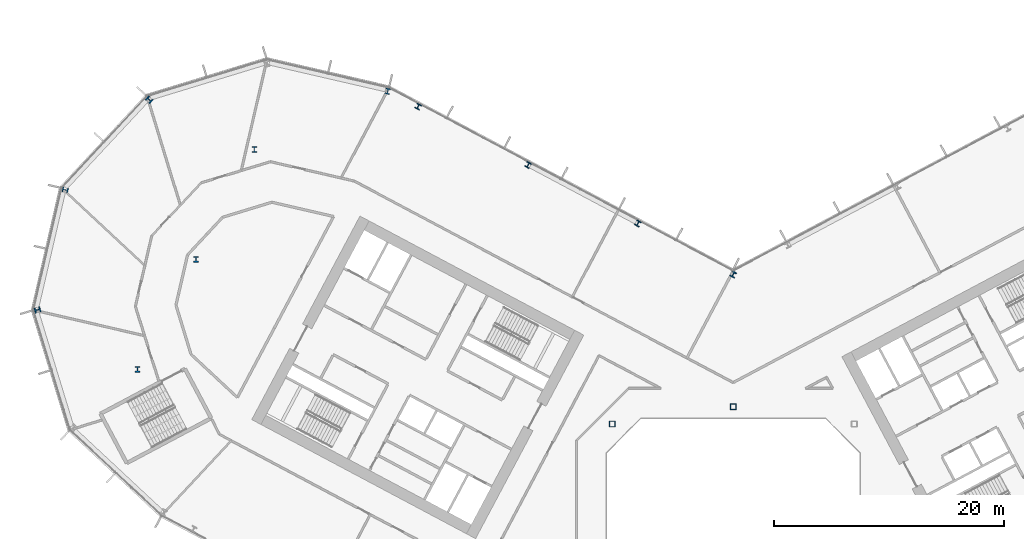
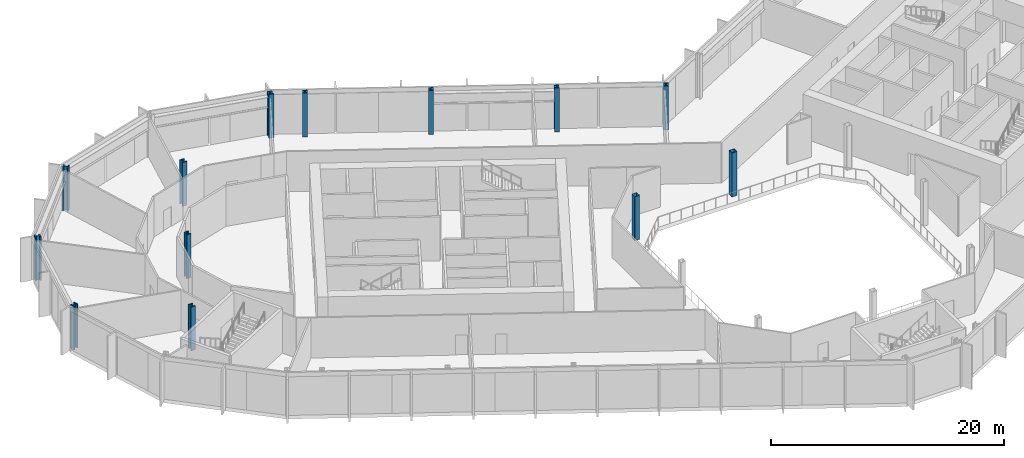
# One storey, part 2 of 30: 13 columns.
"""IFC4 building model written with IfcOpenShell, lengths in metres."""

import ifcopenshell
import ifcopenshell.guid

model = None  # the IFC model being written
_history = None  # IfcOwnerHistory: only IFC2X3 demands one
_inside = {}  # id of a spatial element -> (the spatial element, [elements in it])
_under = {}  # id of a project, library or spatial element -> (it, [spatial elements below it])
_declared = {}  # id of a project -> (the project, [libraries it declares])
_typed = {}  # id of a type object -> (the type object, [elements of that type])
_made_of = {}  # id of a material, layer set ... -> (it, [elements and type objects made of it])


def new_model(schema):
    """Start an empty IFC model of exactly this schema.

    Asked for "IFC4X3", IfcOpenShell would pick the latest addendum, in which some entities
    have other attributes; the version numbers below select the first issue.
    IFC2X3 requires an IfcOwnerHistory on every rooted entity: one is made here for all.
    """
    global model, _history
    if schema == "IFC4X3":
        model = ifcopenshell.file(schema_version=(4, 3, 0, 0))
    else:
        model = ifcopenshell.file(schema=schema)
    _inside.clear()
    _under.clear()
    _declared.clear()
    _typed.clear()
    _made_of.clear()
    _history = None
    if model.schema == "IFC2X3":
        org = make("IfcOrganization", Name="unknown")
        user = make(
            "IfcPersonAndOrganization",
            ThePerson=make("IfcPerson", FamilyName="unknown"),
            TheOrganization=org,
        )
        app = make(
            "IfcApplication",
            ApplicationDeveloper=org,
            Version="unknown",
            ApplicationFullName="unknown",
            ApplicationIdentifier="unknown",
        )
        _history = make(
            "IfcOwnerHistory",
            OwningUser=user,
            OwningApplication=app,
            ChangeAction="ADDED",
            CreationDate=0,
        )
    return model


def make(cls, **values):
    """One entity of the class cls with the attributes given. An attribute that is None is left unset."""
    return model.create_entity(
        cls, **{name: value for name, value in values.items() if value is not None}
    )


def rooted(cls, **values):
    """An entity with a GlobalId (a new one), such as an element, a storey or a relation."""
    return make(cls, GlobalId=ifcopenshell.guid.new(), OwnerHistory=_history, **values)


def si_unit(unit_type, name, prefix=None):
    """IfcSIUnit, for example si_unit("LENGTHUNIT", "METRE", prefix="MILLI")."""
    return make("IfcSIUnit", UnitType=unit_type, Prefix=prefix, Name=name)


def assignment(units):
    """IfcUnitAssignment: the units of a project."""
    return None if units is None else make("IfcUnitAssignment", Units=units)


def point(xyz):
    """IfcCartesianPoint."""
    return None if xyz is None else make("IfcCartesianPoint", Coordinates=xyz)


def direction(xyz):
    """IfcDirection."""
    return None if xyz is None else make("IfcDirection", DirectionRatios=xyz)


def frame(location, z_axis=None, x_axis=None):
    """IfcAxis2Placement3D, a coordinate frame: its origin and axes. An axis left out is left unset."""
    return make(
        "IfcAxis2Placement3D",
        Location=point(location),
        Axis=direction(z_axis),
        RefDirection=direction(x_axis),
    )


def frame_2d(location, x_axis=None):
    """IfcAxis2Placement2D, a coordinate frame in the plane: its origin and x axis."""
    return make(
        "IfcAxis2Placement2D", Location=point(location), RefDirection=direction(x_axis)
    )


def origin():
    """The frame at (0, 0, 0) with its axes left unset."""
    return frame((0.0, 0.0, 0.0))


def origin_2d():
    """The frame at (0, 0) in the plane with its x axis left unset."""
    return frame_2d((0.0, 0.0))


def place(relative_to, where):
    """IfcLocalPlacement: puts the frame where relative to a parent placement (None: the world)."""
    return make(
        "IfcLocalPlacement", PlacementRelTo=relative_to, RelativePlacement=where
    )


def context(
    kind, dimensions, precision=None, world=None, true_north=None, identifier=None
):
    """IfcGeometricRepresentationContext, for example the 3D "Model" context."""
    return make(
        "IfcGeometricRepresentationContext",
        ContextIdentifier=identifier,
        ContextType=kind,
        CoordinateSpaceDimension=dimensions,
        Precision=precision,
        WorldCoordinateSystem=world,
        TrueNorth=true_north,
    )


def subcontext(parent, identifier, kind, view, scale=None):
    """IfcGeometricRepresentationSubContext, for example "Body" below "Model"."""
    return make(
        "IfcGeometricRepresentationSubContext",
        ContextIdentifier=identifier,
        ContextType=kind,
        ParentContext=parent,
        TargetScale=scale,
        TargetView=view,
    )


def project(units=None, contexts=None):
    """IfcProject with its units and contexts."""
    return rooted(
        "IfcProject",
        Name="project",
        RepresentationContexts=contexts,
        UnitsInContext=assignment(units),
    )


def spatial(cls, under=None, at=None, **own):
    """A site, building, storey or space (cls), placed at a placement, below another one or the project."""
    s = rooted(cls, ObjectPlacement=at, **own)
    if under is not None:
        _under.setdefault(under.id(), (under, []))[1].append(s)
    return s


def profile(cls, at=None, kind="AREA", **sizes):
    """A parametric profile (cls). Its sizes go by their IFC names, for example OverallWidth=200.0."""
    return make(cls, ProfileType=kind, Position=at, **sizes)


def hollow_rectangle(**sizes):
    """IfcRectangleHollowProfileDef."""
    return profile("IfcRectangleHollowProfileDef", **sizes)


def i_section(**sizes):
    """IfcIShapeProfileDef."""
    return profile("IfcIShapeProfileDef", **sizes)


def extrude(swept, where, along, depth):
    """IfcExtrudedAreaSolid: the profile swept, set in the frame where, extruded along a direction by depth."""
    return make(
        "IfcExtrudedAreaSolid",
        SweptArea=swept,
        Position=where,
        ExtrudedDirection=direction(along),
        Depth=depth,
    )


def shape(context_of_items, identifier, shape_type, items):
    """IfcShapeRepresentation: the items that make up one representation, for example the "Body"."""
    return make(
        "IfcShapeRepresentation",
        ContextOfItems=context_of_items,
        RepresentationIdentifier=identifier,
        RepresentationType=shape_type,
        Items=items,
    )


def material(Name=None, Category=None):
    """IfcMaterial."""
    return make("IfcMaterial", Name=Name, Category=Category)


def material_profile(
    of_material, cross_section, Name=None, Category=None, Priority=None
):
    """IfcMaterialProfile: a cross section and its material."""
    return make(
        "IfcMaterialProfile",
        Name=Name,
        Material=of_material,
        Profile=cross_section,
        Priority=Priority,
        Category=Category,
    )


def profile_set(profiles, Name=None, composite=None):
    """IfcMaterialProfileSet."""
    return make(
        "IfcMaterialProfileSet",
        Name=Name,
        MaterialProfiles=profiles,
        CompositeProfile=composite,
    )


def made_of(thing, what):
    """Note that an element or type object is made of a material, layer set ...; save() writes the relation."""
    if what is not None:
        _made_of.setdefault(what.id(), (what, []))[1].append(thing)
    return thing


def type_object(cls, material=None, **own):
    """A type object (cls), such as IfcWallType, which elements share."""
    return made_of(rooted(cls, **own), material)


def element(
    cls,
    number,
    at=None,
    inside=None,
    cuts=None,
    type_object=None,
    material=None,
    context=None,
    identifier="Body",
    shape_type=None,
    held_by="IfcProductDefinitionShape",
    body=None,
    shapes=None,
    **own,
):
    """One element of the class cls, such as IfcWall. Its Tag is "e" and its number.

    at: its placement. inside: the storey or other place that contains it. cuts: it is an
    opening in that element (IfcRelVoidsElement). A single representation is given by context,
    identifier, shape_type and body (its items); several are given by shapes. held_by: the class
    of the entity that holds the representations. save() writes the other relations.
    """
    e = rooted(cls, Tag="e%d" % number, ObjectPlacement=at, **own)
    if body is not None:
        shapes = [shape(context, identifier, shape_type, body)]
    if shapes is not None:
        e.Representation = make(held_by, Representations=shapes)
    if inside is not None:
        _inside.setdefault(inside.id(), (inside, []))[1].append(e)
    if cuts is not None:
        rooted(
            "IfcRelVoidsElement", RelatingBuildingElement=cuts, RelatedOpeningElement=e
        )
    if type_object is not None:
        _typed.setdefault(type_object.id(), (type_object, []))[1].append(e)
    return made_of(e, material)


def aggregate(whole, parts):
    """IfcRelAggregates: a whole, such as a stair, and the parts it consists of."""
    return rooted("IfcRelAggregates", RelatingObject=whole, RelatedObjects=parts)


def save(model, path):
    """Write the relations noted so far, then the file.

    IfcRelAggregates (storeys below a building ...), IfcRelContainedInSpatialStructure (elements
    in a storey), IfcRelDefinesByType, IfcRelAssociatesMaterial and IfcRelDeclares: one each for
    every whole, place, type object, material and project.
    """
    for whole, parts in _under.values():
        aggregate(whole, parts)
    for where, things in _inside.values():
        rooted(
            "IfcRelContainedInSpatialStructure",
            RelatedElements=things,
            RelatingStructure=where,
        )
    for kind, things in _typed.values():
        rooted("IfcRelDefinesByType", RelatedObjects=things, RelatingType=kind)
    for what, things in _made_of.values():
        rooted("IfcRelAssociatesMaterial", RelatedObjects=things, RelatingMaterial=what)
    for by, libraries in _declared.values():
        rooted("IfcRelDeclares", RelatingContext=by, RelatedDefinitions=libraries)
    model.write(path)


model = new_model("IFC4")

# Units and contexts
model_context = context("Model", 3, precision=1e-05, world=origin(), true_north=direction((0.0, 1.0)))
body_context = subcontext(model_context, "Body", "Model", "MODEL_VIEW")
ifc_project = project(units=[si_unit("LENGTHUNIT", "METRE"), si_unit("AREAUNIT", "SQUARE_METRE"), si_unit("VOLUMEUNIT", "CUBIC_METRE"), si_unit("PLANEANGLEUNIT", "RADIAN"), si_unit("MASSUNIT", "GRAM", prefix="KILO")], contexts=[model_context])

# Site, building, storey
site_placement = place(None, origin())
site = spatial("IfcSite", under=ifc_project, at=site_placement, CompositionType="ELEMENT")
building_placement = place(site_placement, origin())
building = spatial("IfcBuilding", under=site, at=building_placement, Name="Cormorant Relay Tower", CompositionType="ELEMENT")
storey_placement = place(building_placement, frame((0.0, 0.0, 84.60009765625)))
storey = spatial("IfcBuildingStorey", under=building, at=storey_placement, Name="L16", CompositionType="ELEMENT", Elevation=84.60009765625)

# Columns
ifc_material_1 = material(Name="Steel ASTM A500 Grade C (Fy 345 MPa)", Category="steel")
ifc_material_profile_1 = material_profile(ifc_material_1, hollow_rectangle(XDim=0.508056640625, YDim=0.508056640625, WallThickness=0.020751953125, InnerFilletRadius=0.01025390625, OuterFilletRadius=0.031005859375, at=origin_2d()), Name="HSS508x508x21")
ifc_profile_set_1 = profile_set([ifc_material_profile_1], Name="Steel ASTM A500 Grade C (Fy 345 MPa)")
column_type_1 = type_object("IfcColumnType", Name="Column HSS508x508x21", PredefinedType="COLUMN", material=ifc_profile_set_1)
for number, where, z_axis, x_axis, name in (
    (1, (-10.5, 10.5, 0.0), (0.0, 0.0, 1.0), (1.0, 0.0, 0.0), "Column L16-022"),
    (2, (0.0, 12.0, 0.0), (0.0, 0.0, 1.0), (1.0, 0.0, 0.0), "Column L16-024"),
):
    element("IfcColumn", number, at=place(storey_placement, frame(where, z_axis=z_axis, x_axis=x_axis)), inside=storey, type_object=column_type_1, Name=name, PredefinedType="COLUMN", context=body_context, shape_type="SweptSolid", body=[
        extrude(hollow_rectangle(XDim=0.508056640625, YDim=0.508056640625, WallThickness=0.020751953125, InnerFilletRadius=0.01025390625, OuterFilletRadius=0.031005859375, at=origin_2d()), origin(), (0.0, 0.0, 1.0), 4.599853515625),
    ])
ifc_material_2 = material(Name="Steel ASTM A992 (Fy 345 MPa)", Category="steel")
ifc_material_profile_2 = material_profile(ifc_material_2, i_section(OverallWidth=0.42431640625, OverallDepth=0.47509765625, WebThickness=0.0478515625, FlangeThickness=0.0771484375, FilletRadius=0.014892578125, at=origin_2d()), Name="W360x634")
ifc_profile_set_2 = profile_set([ifc_material_profile_2], Name="Steel ASTM A992 (Fy 345 MPa)")
column_type_2 = type_object("IfcColumnType", Name="Column W360x634", PredefinedType="COLUMN", material=ifc_profile_set_2)
for number, where, z_axis, x_axis, name in (
    (3, (-8.26611328125, 27.906982421875, 0.0), (0.0, 0.0, 1.0), (-0.882947592859, 0.469471562786, 0.0), "Column L16-036"),
    (4, (-17.802001953125, 32.97802734375, 0.0), (0.0, 0.0, 1.0), (-0.882947592859, 0.469471562786, 0.0), "Column L16-041"),
    (5, (-27.337890625, 38.048095703125, 0.0), (0.0, 0.0, 1.0), (-0.882947592859, 0.469471562786, 0.0), "Column L16-046"),
):
    element("IfcColumn", number, at=place(storey_placement, frame(where, z_axis=z_axis, x_axis=x_axis)), inside=storey, type_object=column_type_2, Name=name, PredefinedType="COLUMN", context=body_context, shape_type="SweptSolid", body=[
        extrude(i_section(OverallWidth=0.42431640625, OverallDepth=0.47509765625, WebThickness=0.0478515625, FlangeThickness=0.0771484375, FilletRadius=0.014892578125, at=origin_2d()), origin(), (0.0, 0.0, 1.0), 4.599853515625),
    ])
ifc_material_3 = material(Name="Steel ASTM A992 (Fy 345 MPa)", Category="steel")
ifc_material_profile_3 = material_profile(ifc_material_3, i_section(OverallWidth=0.43701171875, OverallDepth=0.51318359375, WebThickness=0.060546875, FlangeThickness=0.096923828125, FilletRadius=0.015380859375, at=origin_2d()), Name="W360x818")
ifc_profile_set_3 = profile_set([ifc_material_profile_3], Name="Steel ASTM A992 (Fy 345 MPa)")
column_type_3 = type_object("IfcColumnType", Name="Column W360x818", PredefinedType="COLUMN", material=ifc_profile_set_3)
for number, where, z_axis, x_axis, name in (
    (6, (-51.68994140625, 15.251953125, 0.0), (0.0, 0.0, 1.0), (1.0, 0.0, 0.0), "Column L16-027"),
    (7, (-60.3701171875, 20.406005859375, 0.0), (0.0, 0.0, 1.0), (0.292371704723, -0.956304755963, 0.0), "Column L16-030"),
    (8, (0.0, 23.48388671875, 0.0), (0.0, 0.0, 1.0), (-0.882947592859, 0.469471562786, 0.0), "Column L16-032"),
    (9, (-46.6201171875, 24.7880859375, 0.0), (0.0, 0.0, 1.0), (1.0, 0.0, 0.0), "Column L16-034"),
    (10, (-57.966064453125, 30.821044921875, 0.0), (0.0, 0.0, 1.0), (-0.224951054344, -0.974370064785, 0.0), "Column L16-038"),
    (11, (-41.549072265625, 34.323974609375, 0.0), (0.0, 0.0, 1.0), (1.0, 0.0, 0.0), "Column L16-043"),
    (12, (-50.675048828125, 38.637939453125, 0.0), (0.0, 0.0, 1.0), (-0.681998360062, -0.731353701619, 0.0), "Column L16-047"),
    (13, (-29.98193359375, 39.3779296875, 0.0), (0.0, 0.0, 1.0), (-0.974370064785, 0.224951054344, 0.0), "Column L16-048"),
):
    element("IfcColumn", number, at=place(storey_placement, frame(where, z_axis=z_axis, x_axis=x_axis)), inside=storey, type_object=column_type_3, Name=name, PredefinedType="COLUMN", context=body_context, shape_type="SweptSolid", body=[
        extrude(i_section(OverallWidth=0.43701171875, OverallDepth=0.51318359375, WebThickness=0.060546875, FlangeThickness=0.096923828125, FilletRadius=0.015380859375, at=origin_2d()), origin(), (0.0, 0.0, 1.0), 4.599853515625),
    ])

save(model, "model.ifc")
